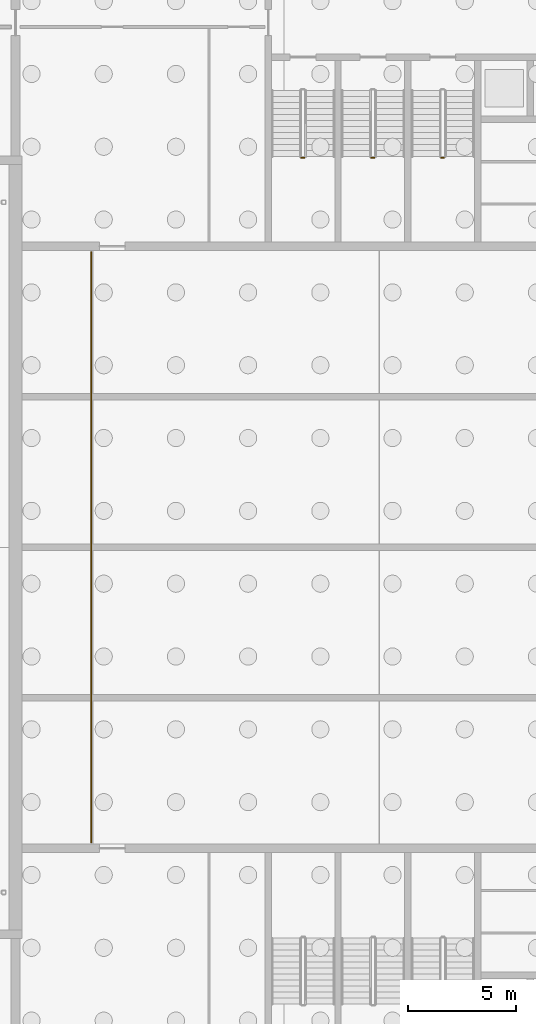
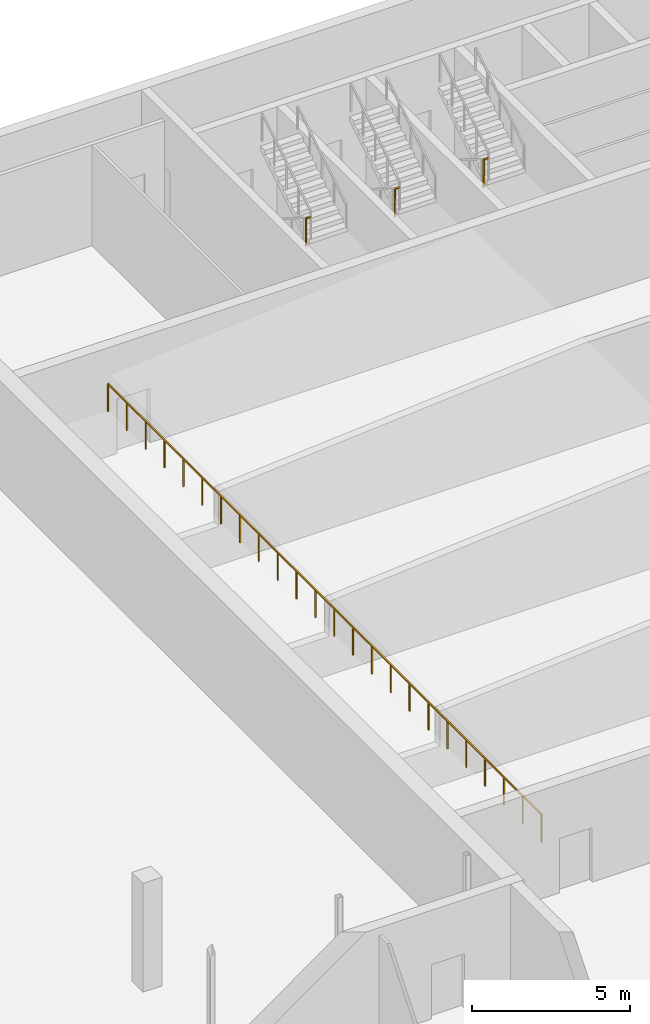
# One storey, part 26 of 32: 4 railings.
"""IFC4 building model written with IfcOpenShell, lengths in metres."""

from ifc_helpers import new_model, si_unit, direction, frame, origin, origin_2d, place, context, subcontext, project, spatial, rectangle, extrude, material, type_object, element, save


model = new_model("IFC4")

# Units and contexts
model_context = context("Model", 3, precision=1e-05, world=origin(), true_north=direction((0.0, 1.0)))
body_context = subcontext(model_context, "Body", "Model", "MODEL_VIEW")
ifc_project = project(units=[si_unit("LENGTHUNIT", "METRE"), si_unit("AREAUNIT", "SQUARE_METRE"), si_unit("VOLUMEUNIT", "CUBIC_METRE"), si_unit("PLANEANGLEUNIT", "RADIAN"), si_unit("MASSUNIT", "GRAM", prefix="KILO")], contexts=[model_context])

# Site, building, storey
site_placement = place(None, origin())
site = spatial("IfcSite", under=ifc_project, at=site_placement, CompositionType="ELEMENT")
building_placement = place(site_placement, origin())
building = spatial("IfcBuilding", under=site, at=building_placement, Name="Noorbagh Ring Tower", CompositionType="ELEMENT")
storey_placement = place(building_placement, frame((0.0, 0.0, -4.199951171875)))
storey = spatial("IfcBuildingStorey", under=building, at=storey_placement, Name="B1", CompositionType="ELEMENT", Elevation=-4.199951171875)

# Railings
ifc_material_1 = material(Name="Stainless steel", Category="steel")
railing_type_1 = type_object("IfcRailingType", Name="DECK-GUARD", PredefinedType="GUARDRAIL", material=ifc_material_1)
railing_placement = place(storey_placement, frame((-136.47509765625, -8.72509765625, 1.800048828125)))
element("IfcRailing", 1, at=railing_placement, inside=storey, type_object=railing_type_1, Name="Orchestra pit front guard", PredefinedType="GUARDRAIL", context=body_context, shape_type="SweptSolid", body=[
    extrude(rectangle(XDim=0.048095703125, YDim=0.048095703125, at=origin_2d()), frame((0.0, 0.0, 1.076171875), z_axis=(0.0, 1.0, 0.0), x_axis=(-1.0, 0.0, 0.0)), (0.0, 0.0, 1.0), 27.4501953125),
    extrude(rectangle(XDim=0.0419921875, YDim=0.0419921875, at=origin_2d()), origin(), (0.0, 0.0, 1.0), 1.052001953125),
    extrude(rectangle(XDim=0.0419921875, YDim=0.0419921875, at=origin_2d()), frame((0.0, 1.193603515625, 0.0)), (0.0, 0.0, 1.0), 1.052001953125),
    extrude(rectangle(XDim=0.0419921875, YDim=0.0419921875, at=origin_2d()), frame((0.0, 2.386962890625, 0.0)), (0.0, 0.0, 1.0), 1.052001953125),
    extrude(rectangle(XDim=0.0419921875, YDim=0.0419921875, at=origin_2d()), frame((0.0, 3.58056640625, 0.0)), (0.0, 0.0, 1.0), 1.052001953125),
    extrude(rectangle(XDim=0.0419921875, YDim=0.0419921875, at=origin_2d()), frame((0.0, 4.77392578125, 0.0)), (0.0, 0.0, 1.0), 1.052001953125),
    extrude(rectangle(XDim=0.0419921875, YDim=0.0419921875, at=origin_2d()), frame((0.0, 5.967529296875, 0.0)), (0.0, 0.0, 1.0), 1.052001953125),
    extrude(rectangle(XDim=0.0419921875, YDim=0.0419921875, at=origin_2d()), frame((0.0, 7.160888671875, 0.0)), (0.0, 0.0, 1.0), 1.052001953125),
    extrude(rectangle(XDim=0.0419921875, YDim=0.0419921875, at=origin_2d()), frame((0.0, 8.3544921875, 0.0)), (0.0, 0.0, 1.0), 1.052001953125),
    extrude(rectangle(XDim=0.0419921875, YDim=0.0419921875, at=origin_2d()), frame((0.0, 9.5478515625, 0.0)), (0.0, 0.0, 1.0), 1.052001953125),
    extrude(rectangle(XDim=0.0419921875, YDim=0.0419921875, at=origin_2d()), frame((0.0, 10.741455078125, 0.0)), (0.0, 0.0, 1.0), 1.052001953125),
    extrude(rectangle(XDim=0.0419921875, YDim=0.0419921875, at=origin_2d()), frame((0.0, 11.934814453125, 0.0)), (0.0, 0.0, 1.0), 1.052001953125),
    extrude(rectangle(XDim=0.0419921875, YDim=0.0419921875, at=origin_2d()), frame((0.0, 13.12841796875, 0.0)), (0.0, 0.0, 1.0), 1.052001953125),
    extrude(rectangle(XDim=0.0419921875, YDim=0.0419921875, at=origin_2d()), frame((0.0, 14.32177734375, 0.0)), (0.0, 0.0, 1.0), 1.052001953125),
    extrude(rectangle(XDim=0.0419921875, YDim=0.0419921875, at=origin_2d()), frame((0.0, 15.515380859375, 0.0)), (0.0, 0.0, 1.0), 1.052001953125),
    extrude(rectangle(XDim=0.0419921875, YDim=0.0419921875, at=origin_2d()), frame((0.0, 16.708740234375, 0.0)), (0.0, 0.0, 1.0), 1.052001953125),
    extrude(rectangle(XDim=0.0419921875, YDim=0.0419921875, at=origin_2d()), frame((0.0, 17.90234375, 0.0)), (0.0, 0.0, 1.0), 1.052001953125),
    extrude(rectangle(XDim=0.0419921875, YDim=0.0419921875, at=origin_2d()), frame((0.0, 19.095703125, 0.0)), (0.0, 0.0, 1.0), 1.052001953125),
    extrude(rectangle(XDim=0.0419921875, YDim=0.0419921875, at=origin_2d()), frame((0.0, 20.289306640625, 0.0)), (0.0, 0.0, 1.0), 1.052001953125),
    extrude(rectangle(XDim=0.0419921875, YDim=0.0419921875, at=origin_2d()), frame((0.0, 21.482666015625, 0.0)), (0.0, 0.0, 1.0), 1.052001953125),
    extrude(rectangle(XDim=0.0419921875, YDim=0.0419921875, at=origin_2d()), frame((0.0, 22.67626953125, 0.0)), (0.0, 0.0, 1.0), 1.052001953125),
    extrude(rectangle(XDim=0.0419921875, YDim=0.0419921875, at=origin_2d()), frame((0.0, 23.86962890625, 0.0)), (0.0, 0.0, 1.0), 1.052001953125),
    extrude(rectangle(XDim=0.0419921875, YDim=0.0419921875, at=origin_2d()), frame((0.0, 25.063232421875, 0.0)), (0.0, 0.0, 1.0), 1.052001953125),
    extrude(rectangle(XDim=0.0419921875, YDim=0.0419921875, at=origin_2d()), frame((0.0, 26.256591796875, 0.0)), (0.0, 0.0, 1.0), 1.052001953125),
    extrude(rectangle(XDim=0.0419921875, YDim=0.0419921875, at=origin_2d()), frame((0.0, 27.4501953125, 0.0)), (0.0, 0.0, 1.0), 1.052001953125),
])
ifc_material_2 = material(Name="Stainless steel", Category="steel")
railing_type_2 = type_object("IfcRailingType", Name="TH-STAIR-GUARD", PredefinedType="GUARDRAIL", material=ifc_material_2)
for number, where, name in (
    (2, (-123.449951171875, 23.1201171875, 2.099853515625), "B1 TSN1 stair guard 2"),
    (3, (-120.199951171875, 23.1201171875, 2.099853515625), "B1 TSN2 stair guard 2"),
    (4, (-126.699951171875, 23.1201171875, 2.099853515625), "B1 TSN3 stair guard 2"),
):
    element("IfcRailing", number, at=place(storey_placement, frame(where)), inside=storey, type_object=railing_type_2, Name=name, PredefinedType="GUARDRAIL", context=body_context, shape_type="SweptSolid", body=[
        extrude(rectangle(XDim=0.048095703125, YDim=0.048095703125, at=origin_2d()), frame((0.0, 0.0, 1.076171875), z_axis=(1.0, 0.0, 0.0), x_axis=(0.0, 1.0, 0.0)), (0.0, 0.0, 1.0), 0.14990234375),
        extrude(rectangle(XDim=0.0419921875, YDim=0.0419921875, at=origin_2d()), origin(), (0.0, 0.0, 1.0), 1.052001953125),
    ])

save(model, "model.ifc")
